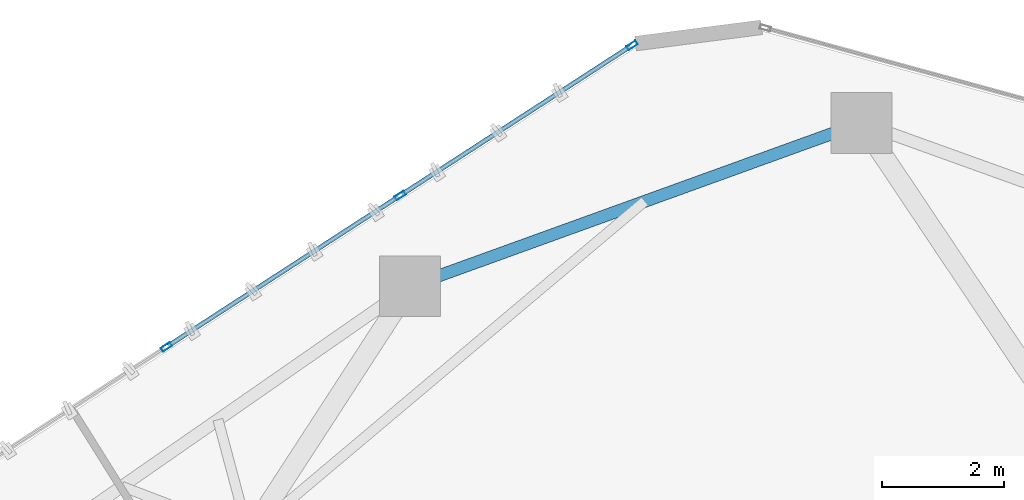
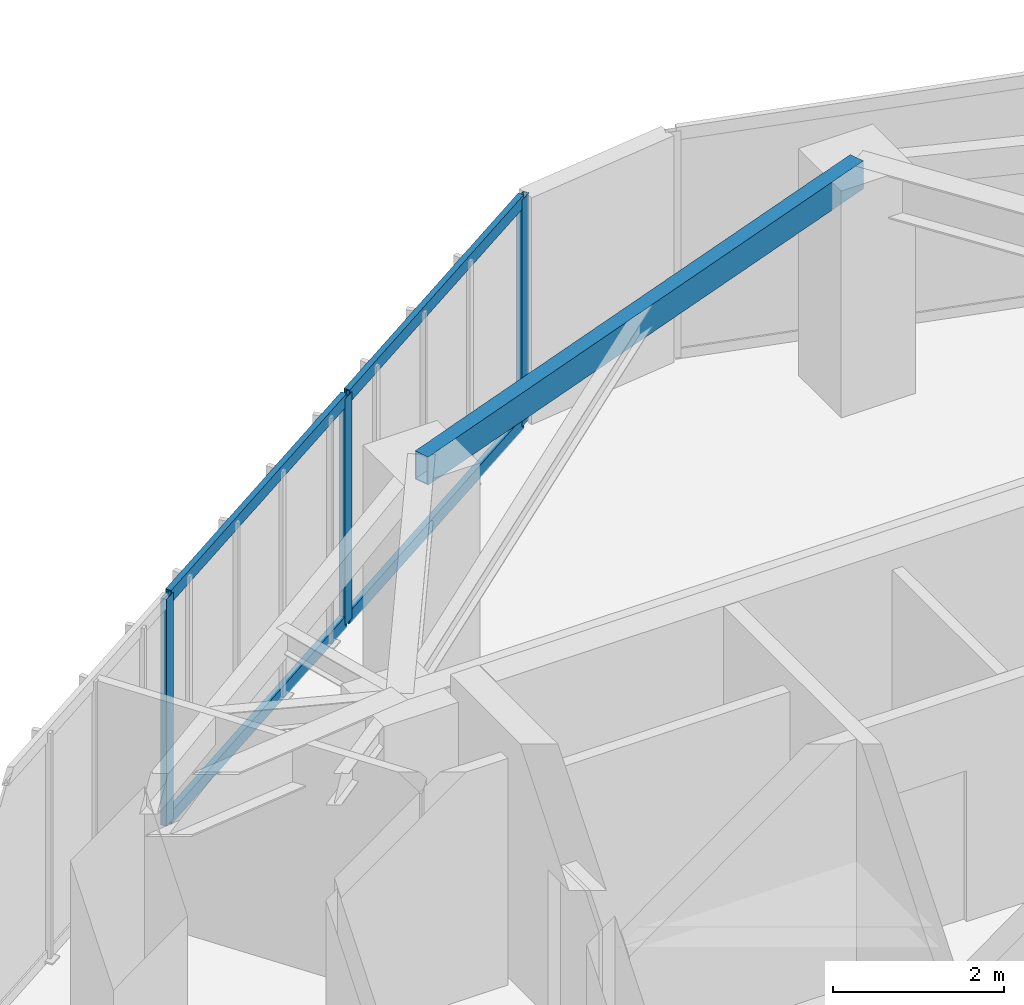
# One storey, part 12 of 18: 7 members, 1 beam, 1 element without a shape of its own.
"""IFC4 building model written with IfcOpenShell, lengths in metres."""

from ifc_helpers import new_model, si_unit, direction, frame, origin, origin_2d, place, context, subcontext, project, spatial, hollow_rectangle, extrude, source, transform, mapped, material, layer, layer_set, material_profile, profile_set, type_object, type_shapes, element, aggregate, save


model = new_model("IFC4")

# Units and contexts
model_context = context("Model", 3, precision=1e-05, world=origin(), true_north=direction((0.0, 1.0)))
body_context = subcontext(model_context, "Body", "Model", "MODEL_VIEW")
ifc_project = project(units=[si_unit("LENGTHUNIT", "METRE"), si_unit("AREAUNIT", "SQUARE_METRE"), si_unit("VOLUMEUNIT", "CUBIC_METRE"), si_unit("PLANEANGLEUNIT", "RADIAN"), si_unit("MASSUNIT", "GRAM", prefix="KILO")], contexts=[model_context])

# Site, building, storey
site_placement = place(None, origin())
site = spatial("IfcSite", under=ifc_project, at=site_placement, CompositionType="ELEMENT")
building_placement = place(site_placement, origin())
building = spatial("IfcBuilding", under=site, at=building_placement, Name="Talar Marvaseh", CompositionType="ELEMENT")
storey_placement = place(building_placement, frame((0.0, 0.0, 188.0)))
storey = spatial("IfcBuildingStorey", under=building, at=storey_placement, Name="L49", CompositionType="ELEMENT", Elevation=188.0)

# Beam
ifc_material_1 = material(Name="Steel S355", Category="steel")
ifc_material_profile_1 = material_profile(ifc_material_1, hollow_rectangle(XDim=0.199951171875, YDim=0.39990234375, WallThickness=0.013916015625, at=origin_2d()), Name="RHS400x200x14")
ifc_profile_set_1 = profile_set([ifc_material_profile_1], Name="Steel S355")
beam_type = type_object("IfcBeamType", Name="Zone 3 Perimeter Spandrel Beam RHS400x200x14", PredefinedType="SPANDREL", material=ifc_profile_set_1)
beam_placement = place(storey_placement, frame((21.35205078125, 40.986083984375, 3.030029296875), z_axis=(0.940368006783, 0.340158803824, 0.0), x_axis=(-0.340158803824, 0.940368006783, 0.0)))
element("IfcBeam", 1, at=beam_placement, inside=storey, type_object=beam_type, Name="L49 Zone 3 Perimeter Spandrel Beam RHS400x200x14", PredefinedType="SPANDREL", context=body_context, shape_type="SweptSolid", body=[
    extrude(hollow_rectangle(XDim=0.199951171875, YDim=0.39990234375, WallThickness=0.013916015625, at=origin_2d()), origin(), (0.0, 0.0, 1.0), 7.88427734375),
])

# Curtain wall, members
ifc_material_2 = material(Name="Architectural Aluminium", Category="aluminium")
ifc_layer = layer(ifc_material_2, 0.18994140625)
ifc_layer_set = layer_set([ifc_layer], Name="Architectural Aluminium")
curtain_wall_type = type_object("IfcCurtainWallType", Name="Unitised Solar Atelier Curtain Wall Z3", PredefinedType="NOTDEFINED", material=ifc_layer_set)
curtain_wall_placement = place(storey_placement, origin())
curtain_wall = element("IfcCurtainWall", 2, at=curtain_wall_placement, inside=storey, type_object=curtain_wall_type, Name="L49 Unitised Solar Atelier Curtain Wall Z3", PredefinedType="NOTDEFINED")
ifc_material_profile_2 = material_profile(ifc_material_2, hollow_rectangle(XDim=0.074951171875, YDim=0.179931640625, WallThickness=0.0048828125, at=origin_2d()), Name="RHS180x75x5")
ifc_profile_set_2 = profile_set([ifc_material_profile_2], Name="Architectural Aluminium")
member_type_1 = type_object("IfcMemberType", Name="Unitised Curtain Wall Standard Mullion RHS180x75x5", PredefinedType="MULLION", material=ifc_profile_set_2)
shared_shape_1 = source(origin(), body_context, "Body", "SweptSolid", [
    extrude(hollow_rectangle(XDim=0.074951171875, YDim=0.179931640625, WallThickness=0.0048828125, at=origin_2d()), origin(), (0.0, 0.0, 1.0), 3.22998046875),
])
type_shapes(member_type_1, [shared_shape_1])
member_1_placement = place(storey_placement, frame((17.3466796875, 39.98779296875, 0.0), z_axis=(0.0, 0.0, 1.0), x_axis=(-0.543642251332, 0.839317045321, 0.0)))
member_1 = element("IfcMember", 3, at=member_1_placement, type_object=member_type_1, Name="CW-Z3 mullion 2", PredefinedType="MULLION", context=body_context, shape_type="MappedRepresentation", body=[
    mapped(shared_shape_1, transform((0.0, 0.0, 0.0), x_axis=(1.0, 0.0, 0.0), y_axis=(0.0, 1.0, 0.0), z_axis=(0.0, 0.0, 1.0), scale=1.0)),
])
member_2_placement = place(storey_placement, frame((21.1884765625, 42.47607421875, 0.0), z_axis=(0.0, 0.0, 1.0), x_axis=(-0.543642251332, 0.839317045321, 0.0)))
member_2 = element("IfcMember", 4, at=member_2_placement, type_object=member_type_1, Name="CW-Z3 mullion 3", PredefinedType="MULLION", context=body_context, shape_type="MappedRepresentation", body=[
    mapped(shared_shape_1, transform((0.0, 0.0, 0.0), x_axis=(1.0, 0.0, 0.0), y_axis=(0.0, 1.0, 0.0), z_axis=(0.0, 0.0, 1.0), scale=1.0)),
])
member_3_placement = place(storey_placement, frame((24.998779296875, 44.944091796875, 0.0), z_axis=(0.0, 0.0, 1.0), x_axis=(-0.543642251332, 0.839317045321, 0.0)))
member_3 = element("IfcMember", 5, at=member_3_placement, type_object=member_type_1, Name="CW-Z3 mullion 4", PredefinedType="MULLION", context=body_context, shape_type="MappedRepresentation", body=[
    mapped(shared_shape_1, transform((0.0, 0.0, 0.0), x_axis=(1.0, 0.0, 0.0), y_axis=(0.0, 1.0, 0.0), z_axis=(0.0, 0.0, 1.0), scale=1.0)),
])
ifc_material_profile_3 = material_profile(ifc_material_2, hollow_rectangle(XDim=0.074951171875, YDim=0.179931640625, WallThickness=0.0048828125, at=origin_2d()), Name="RHS180x75x5")
ifc_profile_set_3 = profile_set([ifc_material_profile_3], Name="Architectural Aluminium")
member_type_2 = type_object("IfcMemberType", Name="Unitised Curtain Wall Transom RHS180x75x5", PredefinedType="USERDEFINED", material=ifc_profile_set_3)
shared_shape_2 = source(origin(), body_context, "Body", "SweptSolid", [
    extrude(hollow_rectangle(XDim=0.074951171875, YDim=0.179931640625, WallThickness=0.0048828125, at=origin_2d()), origin(), (0.0, 0.0, 1.0), 4.46484375),
])
member_4_placement = place(storey_placement, frame((21.219970703125, 42.49658203125, 0.03759765625), z_axis=(0.839313324948, 0.54364799509, 0.0), x_axis=(-0.54364799509, 0.839313324948, 0.0)))
member_4 = element("IfcMember", 6, at=member_4_placement, type_object=member_type_2, Name="CW-Z3 transom 3.1", ObjectType="TRANSOM", PredefinedType="USERDEFINED", context=body_context, shape_type="MappedRepresentation", body=[
    mapped(shared_shape_2, transform((0.0, 0.0, 0.0), x_axis=(1.0, 0.0, 0.0), y_axis=(0.0, 1.0, 0.0), z_axis=(0.0, 0.0, 1.0), scale=1.0)),
])
member_5_placement = place(storey_placement, frame((21.219970703125, 42.49658203125, 3.1923828125), z_axis=(0.839313324948, 0.54364799509, 0.0), x_axis=(-0.54364799509, 0.839313324948, 0.0)))
member_5 = element("IfcMember", 7, at=member_5_placement, type_object=member_type_2, Name="CW-Z3 transom 3.2", ObjectType="TRANSOM", PredefinedType="USERDEFINED", context=body_context, shape_type="MappedRepresentation", body=[
    mapped(shared_shape_2, transform((0.0, 0.0, 0.0), x_axis=(1.0, 0.0, 0.0), y_axis=(0.0, 1.0, 0.0), z_axis=(0.0, 0.0, 1.0), scale=1.0)),
])
shared_shape_3 = source(origin(), body_context, "Body", "SweptSolid", [
    extrude(hollow_rectangle(XDim=0.074951171875, YDim=0.179931640625, WallThickness=0.0048828125, at=origin_2d()), origin(), (0.0, 0.0, 1.0), 4.50244140625),
])
type_shapes(member_type_2, [shared_shape_2, shared_shape_3])
member_6_placement = place(storey_placement, frame((17.378173828125, 40.008056640625, 0.03759765625), z_axis=(0.839302366391, 0.543664913131, 0.0), x_axis=(-0.543664913131, 0.839302366391, 0.0)))
member_6 = element("IfcMember", 8, at=member_6_placement, type_object=member_type_2, Name="CW-Z3 transom 2.1", ObjectType="TRANSOM", PredefinedType="USERDEFINED", context=body_context, shape_type="MappedRepresentation", body=[
    mapped(shared_shape_3, transform((0.0, 0.0, 0.0), x_axis=(1.0, 0.0, 0.0), y_axis=(0.0, 1.0, 0.0), z_axis=(0.0, 0.0, 1.0), scale=1.0)),
])
member_7_placement = place(storey_placement, frame((17.378173828125, 40.008056640625, 3.1923828125), z_axis=(0.839302366391, 0.543664913131, 0.0), x_axis=(-0.543664913131, 0.839302366391, 0.0)))
member_7 = element("IfcMember", 9, at=member_7_placement, type_object=member_type_2, Name="CW-Z3 transom 2.2", ObjectType="TRANSOM", PredefinedType="USERDEFINED", context=body_context, shape_type="MappedRepresentation", body=[
    mapped(shared_shape_3, transform((0.0, 0.0, 0.0), x_axis=(1.0, 0.0, 0.0), y_axis=(0.0, 1.0, 0.0), z_axis=(0.0, 0.0, 1.0), scale=1.0)),
])
aggregate(curtain_wall, [member_1, member_2, member_3, member_6, member_7, member_4, member_5])

save(model, "model.ifc")
